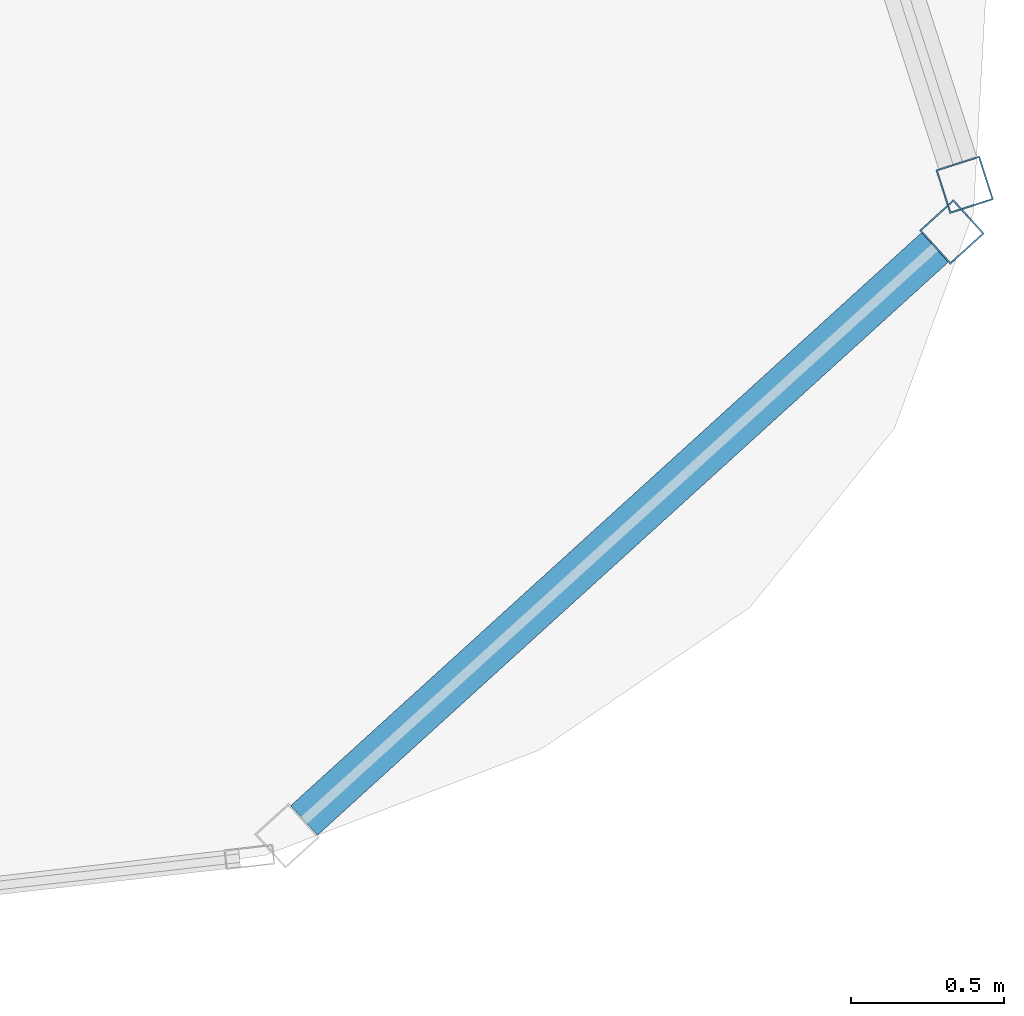
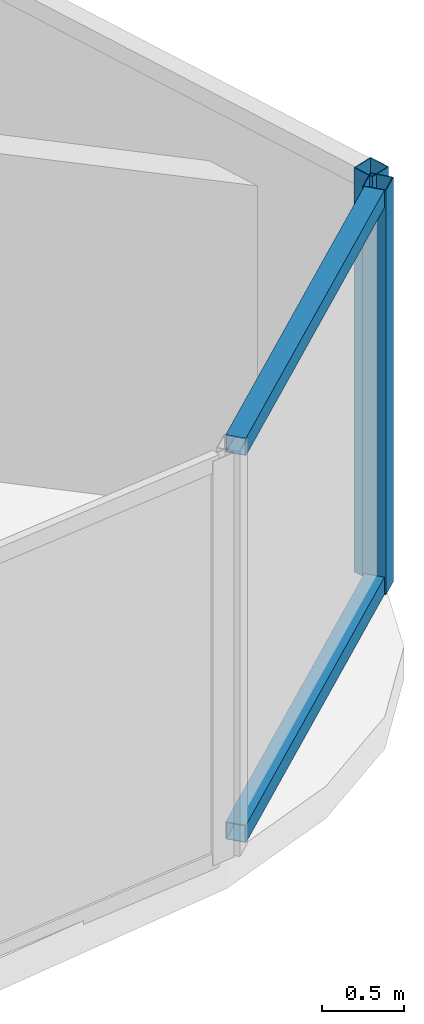
# One storey, part 15 of 30: 4 members, 2 elements without a shape of their own.
"""IFC4 building model written with IfcOpenShell, lengths in metres."""

from ifc_helpers import new_model, si_unit, direction, frame, origin, origin_2d, place, context, subcontext, project, spatial, hollow_rectangle, extrude, material, layer, layer_set, material_profile, profile_set, type_object, element, aggregate, save


model = new_model("IFC4")

# Units and contexts
model_context = context("Model", 3, precision=1e-05, world=origin(), true_north=direction((0.0, 1.0)))
body_context = subcontext(model_context, "Body", "Model", "MODEL_VIEW")
ifc_project = project(units=[si_unit("LENGTHUNIT", "METRE"), si_unit("AREAUNIT", "SQUARE_METRE"), si_unit("VOLUMEUNIT", "CUBIC_METRE"), si_unit("PLANEANGLEUNIT", "RADIAN"), si_unit("MASSUNIT", "GRAM", prefix="KILO")], contexts=[model_context])

# Site, building, storey
site_placement = place(None, origin())
site = spatial("IfcSite", under=ifc_project, at=site_placement, CompositionType="ELEMENT")
building_placement = place(site_placement, origin())
building = spatial("IfcBuilding", under=site, at=building_placement, Name="Orvanel Arch Residences", CompositionType="ELEMENT")
storey_placement = place(building_placement, frame((0.0, 0.0, 232.699951171875)))
storey = spatial("IfcBuildingStorey", under=building, at=storey_placement, Name="L66", CompositionType="ELEMENT", Elevation=232.699951171875)

# Curtain wall, member
ifc_material = material(Name="Bronze-anodised aluminium AA6063-T6", Category="aluminium")
ifc_layer = layer(ifc_material, 0.18994140625)
ifc_layer_set = layer_set([ifc_layer], Name="Bronze-anodised aluminium AA6063-T6")
curtain_wall_type = type_object("IfcCurtainWallType", Name="CW5-CRN-SYS", PredefinedType="NOTDEFINED", material=ifc_layer_set)
curtain_wall_1_placement = place(storey_placement, origin())
curtain_wall_1 = element("IfcCurtainWall", 1, at=curtain_wall_1_placement, inside=storey, type_object=curtain_wall_type, Name="L66 CW5-CRN-SYS Unitised Curtain Wall", PredefinedType="NOTDEFINED")
ifc_material_profile_1 = material_profile(ifc_material, hollow_rectangle(XDim=0.14990234375, YDim=0.14990234375, WallThickness=0.0048828125, at=origin_2d()), Name="ALU150x150x5")
ifc_profile_set_1 = profile_set([ifc_material_profile_1], Name="Bronze-anodised aluminium AA6063-T6")
member_type_1 = type_object("IfcMemberType", Name="MUL-150x150", PredefinedType="MULLION", material=ifc_profile_set_1)
member_1_placement = place(storey_placement, frame((55.81640625, 8.79248046875, 0.0), z_axis=(0.0, 0.0, 1.0), x_axis=(-0.672365707037, 0.740219127016, 0.0)))
member_1 = element("IfcMember", 2, at=member_1_placement, type_object=member_type_1, Name="CW-S5 mullion 2", PredefinedType="MULLION", context=body_context, shape_type="SweptSolid", body=[
    extrude(hollow_rectangle(XDim=0.14990234375, YDim=0.14990234375, WallThickness=0.0048828125, at=origin_2d()), origin(), (0.0, 0.0, 1.0), 3.02001953125),
])

curtain_wall_2_placement = place(storey_placement, origin())
curtain_wall_2 = element("IfcCurtainWall", 3, at=curtain_wall_2_placement, inside=storey, type_object=curtain_wall_type, Name="L66 CW5-CRN-SYS Unitised Curtain Wall", PredefinedType="NOTDEFINED")
member_2_placement = place(storey_placement, frame((55.858154296875, 8.946533203125, 0.0), z_axis=(0.0, 0.0, 1.0), x_axis=(-0.952168522204, -0.305573404151, 0.0)))
member_2 = element("IfcMember", 4, at=member_2_placement, type_object=member_type_1, Name="CW-S5 mullion 1", PredefinedType="MULLION", context=body_context, shape_type="SweptSolid", body=[
    extrude(hollow_rectangle(XDim=0.14990234375, YDim=0.14990234375, WallThickness=0.0048828125, at=origin_2d()), origin(), (0.0, 0.0, 1.0), 3.02001953125),
])
aggregate(curtain_wall_2, [member_2])

# Member
ifc_material_profile_2 = material_profile(ifc_material, hollow_rectangle(XDim=0.1298828125, YDim=0.1298828125, WallThickness=0.00439453125, at=origin_2d()), Name="ALU130x130x4.5")
ifc_profile_set_2 = profile_set([ifc_material_profile_2], Name="Bronze-anodised aluminium AA6063-T6")
member_type_2 = type_object("IfcMemberType", Name="TRN-130x130", PredefinedType="USERDEFINED", material=ifc_profile_set_2)
member_3_placement = place(storey_placement, frame((53.703125, 6.872802734375, 0.06494140625), z_axis=(0.74019035374, 0.672397382677, 0.0), x_axis=(-0.672397382677, 0.74019035374, 0.0)))
member_3 = element("IfcMember", 5, at=member_3_placement, type_object=member_type_2, Name="CW-S5 transom 1.1", ObjectType="TRANSOM", PredefinedType="USERDEFINED", context=body_context, shape_type="SweptSolid", body=[
    extrude(hollow_rectangle(XDim=0.1298828125, YDim=0.1298828125, WallThickness=0.00439453125, at=origin_2d()), origin(), (0.0, 0.0, 1.0), 2.7802734375),
])

member_4_placement = place(storey_placement, frame((53.703125, 6.872802734375, 2.955078125), z_axis=(0.74019035374, 0.672397382677, 0.0), x_axis=(-0.672397382677, 0.74019035374, 0.0)))
member_4 = element("IfcMember", 6, at=member_4_placement, type_object=member_type_2, Name="CW-S5 transom 1.2", ObjectType="TRANSOM", PredefinedType="USERDEFINED", context=body_context, shape_type="SweptSolid", body=[
    extrude(hollow_rectangle(XDim=0.1298828125, YDim=0.1298828125, WallThickness=0.00439453125, at=origin_2d()), origin(), (0.0, 0.0, 1.0), 2.7802734375),
])

aggregate(curtain_wall_1, [member_1, member_3, member_4])

save(model, "model.ifc")
